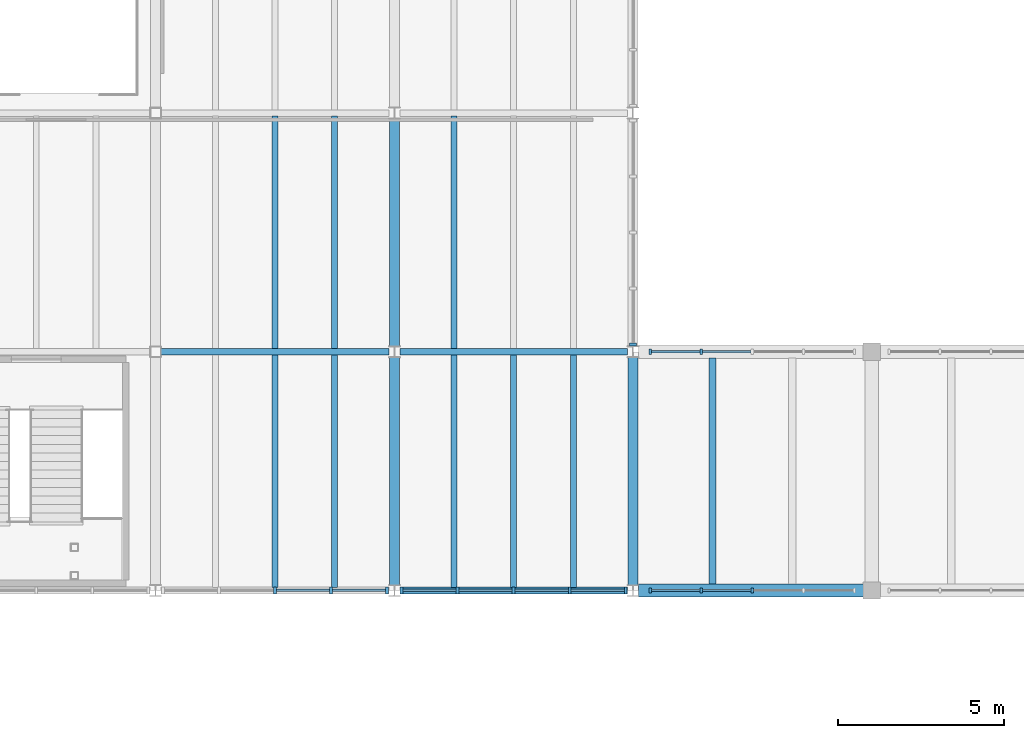
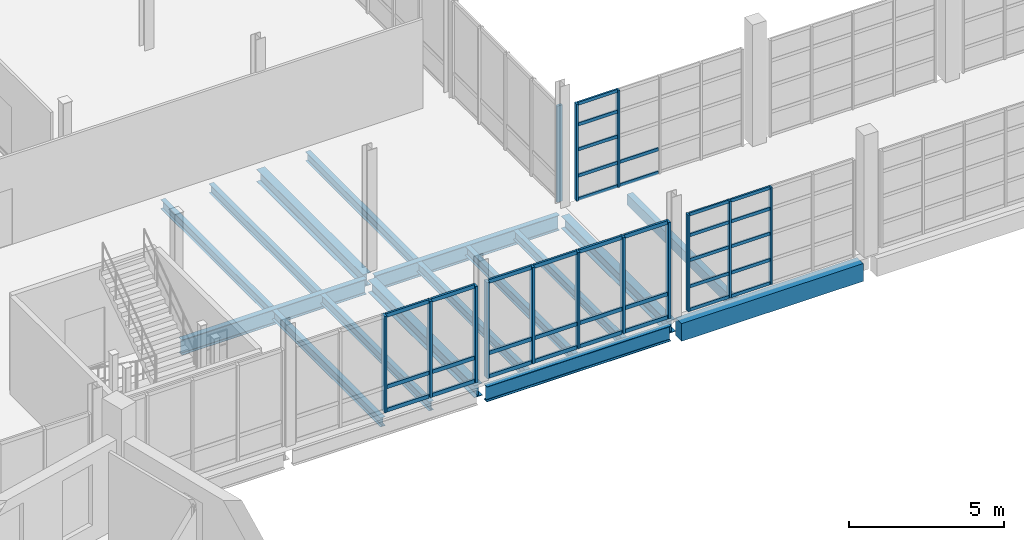
# One storey, part 28 of 77: 49 members, 16 beams, 5 elements without a shape of their own.
"""IFC4 building model written with IfcOpenShell, lengths in metres."""

from ifc_helpers import new_model, si_unit, direction, frame, origin, origin_2d, place, context, subcontext, project, spatial, rectangle, i_section, extrude, material, material_profile, profile_set, type_object, element, aggregate, save


model = new_model("IFC4")

# Units and contexts
model_context = context("Model", 3, precision=1e-05, world=origin(), true_north=direction((0.0, 1.0)))
body_context = subcontext(model_context, "Body", "Model", "MODEL_VIEW")
ifc_project = project(units=[si_unit("LENGTHUNIT", "METRE"), si_unit("AREAUNIT", "SQUARE_METRE"), si_unit("VOLUMEUNIT", "CUBIC_METRE"), si_unit("PLANEANGLEUNIT", "RADIAN"), si_unit("MASSUNIT", "GRAM", prefix="KILO")], contexts=[model_context])

# Site, building, storey
site_placement = place(None, origin())
site = spatial("IfcSite", under=ifc_project, at=site_placement, CompositionType="ELEMENT")
building_placement = place(site_placement, origin())
building = spatial("IfcBuilding", under=site, at=building_placement, Name="Qiaolan Assembly House", CompositionType="ELEMENT")
storey_placement = place(building_placement, frame((0.0, 0.0, 5.39990234375)))
storey = spatial("IfcBuildingStorey", under=building, at=storey_placement, Name="L01", CompositionType="ELEMENT", Elevation=5.39990234375)

# Beams
ifc_material_1 = material(Name="Concrete C40/50", Category="concrete")
ifc_material_profile_1 = material_profile(ifc_material_1, rectangle(XDim=0.39990234375, YDim=0.699951171875, at=origin_2d()), Name="RCB 400x700")
ifc_profile_set_1 = profile_set([ifc_material_profile_1], Name="Concrete C40/50")
beam_type_1 = type_object("IfcBeamType", Name="BM-RC-400x700", PredefinedType="BEAM", material=ifc_profile_set_1)
beam_1_placement = place(storey_placement, frame((108.1650390625, 36.0, -0.619873046875), z_axis=(1.0, 0.0, 0.0), x_axis=(0.0, 1.0, 0.0)))
element("IfcBeam", 1, at=beam_1_placement, inside=storey, type_object=beam_type_1, Name="GB-05 beam BMX-CLS-L01-00-00", PredefinedType="BEAM", context=body_context, shape_type="SweptSolid", body=[
    extrude(rectangle(XDim=0.39990234375, YDim=0.699951171875, at=origin_2d()), origin(), (0.0, 0.0, 1.0), 6.784912109375),
])
ifc_material_2 = material(Name="Steel Q355B", Category="steel")
ifc_material_profile_2 = material_profile(ifc_material_2, i_section(OverallWidth=0.300048828125, OverallDepth=0.488037109375, WebThickness=0.010986328125, FlangeThickness=0.01806640625, FilletRadius=0.02001953125, at=origin_2d()), Name="HM 488x300x11x18")
ifc_profile_set_2 = profile_set([ifc_material_profile_2], Name="Steel Q355B")
beam_type_2 = type_object("IfcBeamType", Name="BM-STL-HM488", PredefinedType="BEAM", material=ifc_profile_set_2)
beam_2_placement = place(storey_placement, frame((100.800048828125, 36.1650390625, -0.5439453125), z_axis=(0.0, 1.0, 0.0), x_axis=(-1.0, 0.0, 0.0)))
element("IfcBeam", 2, at=beam_2_placement, inside=storey, type_object=beam_type_2, Name="SB-04 beam BMY-HL-L01-11-00", PredefinedType="BEAM", context=body_context, shape_type="SweptSolid", body=[
    extrude(i_section(OverallWidth=0.300048828125, OverallDepth=0.488037109375, WebThickness=0.010986328125, FlangeThickness=0.01806640625, FilletRadius=0.02001953125, at=origin_2d()), origin(), (0.0, 0.0, 1.0), 6.869873046875),
])
beam_3_placement = place(storey_placement, frame((100.800048828125, 43.364990234375, -0.5439453125), z_axis=(0.0, 1.0, 0.0), x_axis=(-1.0, 0.0, 0.0)))
element("IfcBeam", 3, at=beam_3_placement, inside=storey, type_object=beam_type_2, Name="SB-04 beam BMY-HL-L01-11-01", PredefinedType="BEAM", context=body_context, shape_type="SweptSolid", body=[
    extrude(i_section(OverallWidth=0.300048828125, OverallDepth=0.488037109375, WebThickness=0.010986328125, FlangeThickness=0.01806640625, FilletRadius=0.02001953125, at=origin_2d()), origin(), (0.0, 0.0, 1.0), 6.8701171875),
])
beam_4_placement = place(storey_placement, frame((108.0, 36.1650390625, -0.5439453125), z_axis=(0.0, 1.0, 0.0), x_axis=(-1.0, 0.0, 0.0)))
element("IfcBeam", 4, at=beam_4_placement, inside=storey, type_object=beam_type_2, Name="SB-04 beam BMY-HL-L01-12-00", PredefinedType="BEAM", context=body_context, shape_type="SweptSolid", body=[
    extrude(i_section(OverallWidth=0.300048828125, OverallDepth=0.488037109375, WebThickness=0.010986328125, FlangeThickness=0.01806640625, FilletRadius=0.02001953125, at=origin_2d()), origin(), (0.0, 0.0, 1.0), 6.869873046875),
])
ifc_material_profile_3 = material_profile(ifc_material_2, i_section(OverallWidth=0.199951171875, OverallDepth=0.60009765625, WebThickness=0.010986328125, FlangeThickness=0.01708984375, FilletRadius=0.02001953125, at=origin_2d()), Name="HN 600x200x11x17")
ifc_profile_set_3 = profile_set([ifc_material_profile_3], Name="Steel Q355B")
beam_type_3 = type_object("IfcBeamType", Name="BM-STL-HN600", PredefinedType="BEAM", material=ifc_profile_set_3)
beam_5_placement = place(storey_placement, frame((100.965087890625, 36.0, -0.599853515625), z_axis=(1.0, 0.0, 0.0), x_axis=(0.0, 1.0, 0.0)))
element("IfcBeam", 5, at=beam_5_placement, inside=storey, type_object=beam_type_3, Name="SB-03 beam BMX-HL-L01-11-00", PredefinedType="BEAM", context=body_context, shape_type="SweptSolid", body=[
    extrude(i_section(OverallWidth=0.199951171875, OverallDepth=0.60009765625, WebThickness=0.010986328125, FlangeThickness=0.01708984375, FilletRadius=0.02001953125, at=origin_2d()), origin(), (0.0, 0.0, 1.0), 6.869873046875),
])
beam_6_placement = place(storey_placement, frame((93.75, 43.199951171875, -0.599853515625), z_axis=(1.0, 0.0, 0.0), x_axis=(0.0, 1.0, 0.0)))
element("IfcBeam", 6, at=beam_6_placement, inside=storey, type_object=beam_type_3, Name="SB-03 beam BMX-HL-L01-10-01", PredefinedType="BEAM", context=body_context, shape_type="SweptSolid", body=[
    extrude(i_section(OverallWidth=0.199951171875, OverallDepth=0.60009765625, WebThickness=0.010986328125, FlangeThickness=0.01708984375, FilletRadius=0.02001953125, at=origin_2d()), origin(), (0.0, 0.0, 1.0), 6.885009765625),
])
beam_7_placement = place(storey_placement, frame((100.965087890625, 43.199951171875, -0.599853515625), z_axis=(1.0, 0.0, 0.0), x_axis=(0.0, 1.0, 0.0)))
element("IfcBeam", 7, at=beam_7_placement, inside=storey, type_object=beam_type_3, Name="SB-03 beam BMX-HL-L01-11-01", PredefinedType="BEAM", context=body_context, shape_type="SweptSolid", body=[
    extrude(i_section(OverallWidth=0.199951171875, OverallDepth=0.60009765625, WebThickness=0.010986328125, FlangeThickness=0.01708984375, FilletRadius=0.02001953125, at=origin_2d()), origin(), (0.0, 0.0, 1.0), 6.869873046875),
])

# Curtain wall, members
ifc_material_3 = material(Name="Anodised bronze aluminium", Category="aluminium")
curtain_wall_type_1 = type_object("IfcCurtainWallType", Name="CW-CLOISTER-420", PredefinedType="NOTDEFINED", material=ifc_material_3)
curtain_wall_1_placement = place(storey_placement, origin())
curtain_wall_1 = element("IfcCurtainWall", 8, at=curtain_wall_1_placement, inside=storey, type_object=curtain_wall_type_1, Name="CW-05 South Cloister outer arcade L01-1", PredefinedType="NOTDEFINED")
ifc_material_profile_4 = material_profile(ifc_material_3, rectangle(XDim=0.070068359375, YDim=0.155029296875, at=origin_2d()), Name="MUL 70x155")
ifc_profile_set_4 = profile_set([ifc_material_profile_4], Name="Anodised bronze aluminium")
member_type_1 = type_object("IfcMemberType", Name="CW-CLOISTER-420-MUL", PredefinedType="MULLION", material=ifc_profile_set_4)
member_1_placement = place(storey_placement, frame((108.52001953125, 36.0, 0.0), z_axis=(0.0, 0.0, 1.0), x_axis=(1.0, 0.0, 0.0)))
member_1 = element("IfcMember", 9, at=member_1_placement, type_object=member_type_1, Name="ML-06 mullion CW-CLS-OUT-L01-0-1", PredefinedType="MULLION", context=body_context, shape_type="SweptSolid", body=[
    extrude(rectangle(XDim=0.070068359375, YDim=0.155029296875, at=origin_2d()), origin(), (0.0, 0.0, 1.0), 3.820068359375),
])
member_2_placement = place(storey_placement, frame((110.06005859375, 36.0, 0.0), z_axis=(0.0, 0.0, 1.0), x_axis=(1.0, 0.0, 0.0)))
member_2 = element("IfcMember", 10, at=member_2_placement, type_object=member_type_1, Name="ML-06 mullion CW-CLS-OUT-L01-0-2", PredefinedType="MULLION", context=body_context, shape_type="SweptSolid", body=[
    extrude(rectangle(XDim=0.070068359375, YDim=0.155029296875, at=origin_2d()), origin(), (0.0, 0.0, 1.0), 3.820068359375),
])
member_3_placement = place(storey_placement, frame((111.60009765625, 36.0, 0.0), z_axis=(0.0, 0.0, 1.0), x_axis=(1.0, 0.0, 0.0)))
member_3 = element("IfcMember", 11, at=member_3_placement, type_object=member_type_1, Name="ML-06 mullion CW-CLS-OUT-L01-0-3", PredefinedType="MULLION", context=body_context, shape_type="SweptSolid", body=[
    extrude(rectangle(XDim=0.070068359375, YDim=0.155029296875, at=origin_2d()), origin(), (0.0, 0.0, 1.0), 3.820068359375),
])

curtain_wall_2_placement = place(storey_placement, origin())
curtain_wall_2 = element("IfcCurtainWall", 12, at=curtain_wall_2_placement, inside=storey, type_object=curtain_wall_type_1, Name="CW-05 South Cloister court arcade L01-1", PredefinedType="NOTDEFINED")
member_4_placement = place(storey_placement, frame((110.06005859375, 43.199951171875, 0.0), z_axis=(0.0, 0.0, 1.0), x_axis=(-1.0, 0.0, 0.0)))
member_4 = element("IfcMember", 13, at=member_4_placement, type_object=member_type_1, Name="ML-06 mullion CW-CLS-CRT-L01-0-4", PredefinedType="MULLION", context=body_context, shape_type="SweptSolid", body=[
    extrude(rectangle(XDim=0.070068359375, YDim=0.155029296875, at=origin_2d()), origin(), (0.0, 0.0, 1.0), 3.820068359375),
])
member_5_placement = place(storey_placement, frame((108.52001953125, 43.199951171875, 0.0), z_axis=(0.0, 0.0, 1.0), x_axis=(-1.0, 0.0, 0.0)))
member_5 = element("IfcMember", 14, at=member_5_placement, type_object=member_type_1, Name="ML-06 mullion CW-CLS-CRT-L01-0-5", PredefinedType="MULLION", context=body_context, shape_type="SweptSolid", body=[
    extrude(rectangle(XDim=0.070068359375, YDim=0.155029296875, at=origin_2d()), origin(), (0.0, 0.0, 1.0), 3.820068359375),
])

# Member
ifc_material_profile_5 = material_profile(ifc_material_3, rectangle(XDim=0.06201171875, YDim=0.125, at=origin_2d()), Name="TRN 62x125")
ifc_profile_set_5 = profile_set([ifc_material_profile_5], Name="Anodised bronze aluminium")
member_type_2 = type_object("IfcMemberType", Name="CW-CLOISTER-420-TRN", PredefinedType="USERDEFINED", material=ifc_profile_set_5)
member_6_placement = place(storey_placement, frame((108.554931640625, 36.0, 0.030029296875), z_axis=(1.0, 0.0, 0.0), x_axis=(0.0, 1.0, 0.0)))
member_6 = element("IfcMember", 15, at=member_6_placement, type_object=member_type_2, Name="TR-06 transom CW-CLS-OUT-L01-0-1-1", ObjectType="TRANSOM", PredefinedType="USERDEFINED", context=body_context, shape_type="SweptSolid", body=[
    extrude(rectangle(XDim=0.06201171875, YDim=0.125, at=origin_2d()), origin(), (0.0, 0.0, 1.0), 1.469970703125),
])

member_7_placement = place(storey_placement, frame((108.554931640625, 36.0, 0.9501953125), z_axis=(1.0, 0.0, 0.0), x_axis=(0.0, 1.0, 0.0)))
member_7 = element("IfcMember", 16, at=member_7_placement, type_object=member_type_2, Name="TR-06 transom CW-CLS-OUT-L01-0-1-2", ObjectType="TRANSOM", PredefinedType="USERDEFINED", context=body_context, shape_type="SweptSolid", body=[
    extrude(rectangle(XDim=0.06201171875, YDim=0.125, at=origin_2d()), origin(), (0.0, 0.0, 1.0), 1.469970703125),
])

member_8_placement = place(storey_placement, frame((108.554931640625, 36.0, 1.986572265625), z_axis=(1.0, 0.0, 0.0), x_axis=(0.0, 1.0, 0.0)))
member_8 = element("IfcMember", 17, at=member_8_placement, type_object=member_type_2, Name="TR-06 transom CW-CLS-OUT-L01-0-1-3", ObjectType="TRANSOM", PredefinedType="USERDEFINED", context=body_context, shape_type="SweptSolid", body=[
    extrude(rectangle(XDim=0.06201171875, YDim=0.125, at=origin_2d()), origin(), (0.0, 0.0, 1.0), 1.469970703125),
])

member_9_placement = place(storey_placement, frame((108.554931640625, 36.0, 2.97021484375), z_axis=(1.0, 0.0, 0.0), x_axis=(0.0, 1.0, 0.0)))
member_9 = element("IfcMember", 18, at=member_9_placement, type_object=member_type_2, Name="TR-06 transom CW-CLS-OUT-L01-0-1-4", ObjectType="TRANSOM", PredefinedType="USERDEFINED", context=body_context, shape_type="SweptSolid", body=[
    extrude(rectangle(XDim=0.06201171875, YDim=0.125, at=origin_2d()), origin(), (0.0, 0.0, 1.0), 1.469970703125),
])

member_10_placement = place(storey_placement, frame((108.554931640625, 36.0, 3.7900390625), z_axis=(1.0, 0.0, 0.0), x_axis=(0.0, 1.0, 0.0)))
member_10 = element("IfcMember", 19, at=member_10_placement, type_object=member_type_2, Name="TR-06 transom CW-CLS-OUT-L01-0-1-5", ObjectType="TRANSOM", PredefinedType="USERDEFINED", context=body_context, shape_type="SweptSolid", body=[
    extrude(rectangle(XDim=0.06201171875, YDim=0.125, at=origin_2d()), origin(), (0.0, 0.0, 1.0), 1.469970703125),
])

member_11_placement = place(storey_placement, frame((110.094970703125, 36.0, 0.030029296875), z_axis=(1.0, 0.0, 0.0), x_axis=(0.0, 1.0, 0.0)))
member_11 = element("IfcMember", 20, at=member_11_placement, type_object=member_type_2, Name="TR-06 transom CW-CLS-OUT-L01-0-2-1", ObjectType="TRANSOM", PredefinedType="USERDEFINED", context=body_context, shape_type="SweptSolid", body=[
    extrude(rectangle(XDim=0.06201171875, YDim=0.125, at=origin_2d()), origin(), (0.0, 0.0, 1.0), 1.469970703125),
])

member_12_placement = place(storey_placement, frame((110.094970703125, 36.0, 0.9501953125), z_axis=(1.0, 0.0, 0.0), x_axis=(0.0, 1.0, 0.0)))
member_12 = element("IfcMember", 21, at=member_12_placement, type_object=member_type_2, Name="TR-06 transom CW-CLS-OUT-L01-0-2-2", ObjectType="TRANSOM", PredefinedType="USERDEFINED", context=body_context, shape_type="SweptSolid", body=[
    extrude(rectangle(XDim=0.06201171875, YDim=0.125, at=origin_2d()), origin(), (0.0, 0.0, 1.0), 1.469970703125),
])

member_13_placement = place(storey_placement, frame((110.094970703125, 36.0, 1.986572265625), z_axis=(1.0, 0.0, 0.0), x_axis=(0.0, 1.0, 0.0)))
member_13 = element("IfcMember", 22, at=member_13_placement, type_object=member_type_2, Name="TR-06 transom CW-CLS-OUT-L01-0-2-3", ObjectType="TRANSOM", PredefinedType="USERDEFINED", context=body_context, shape_type="SweptSolid", body=[
    extrude(rectangle(XDim=0.06201171875, YDim=0.125, at=origin_2d()), origin(), (0.0, 0.0, 1.0), 1.469970703125),
])

member_14_placement = place(storey_placement, frame((110.094970703125, 36.0, 2.97021484375), z_axis=(1.0, 0.0, 0.0), x_axis=(0.0, 1.0, 0.0)))
member_14 = element("IfcMember", 23, at=member_14_placement, type_object=member_type_2, Name="TR-06 transom CW-CLS-OUT-L01-0-2-4", ObjectType="TRANSOM", PredefinedType="USERDEFINED", context=body_context, shape_type="SweptSolid", body=[
    extrude(rectangle(XDim=0.06201171875, YDim=0.125, at=origin_2d()), origin(), (0.0, 0.0, 1.0), 1.469970703125),
])

member_15_placement = place(storey_placement, frame((110.094970703125, 36.0, 3.7900390625), z_axis=(1.0, 0.0, 0.0), x_axis=(0.0, 1.0, 0.0)))
member_15 = element("IfcMember", 24, at=member_15_placement, type_object=member_type_2, Name="TR-06 transom CW-CLS-OUT-L01-0-2-5", ObjectType="TRANSOM", PredefinedType="USERDEFINED", context=body_context, shape_type="SweptSolid", body=[
    extrude(rectangle(XDim=0.06201171875, YDim=0.125, at=origin_2d()), origin(), (0.0, 0.0, 1.0), 1.469970703125),
])

aggregate(curtain_wall_1, [member_1, member_2, member_3, member_6, member_7, member_8, member_9, member_10, member_11, member_12, member_13, member_14, member_15])

member_16_placement = place(storey_placement, frame((111.56494140625, 43.199951171875, 0.030029296875), z_axis=(-1.0, 0.0, 0.0), x_axis=(0.0, -1.0, 0.0)))
member_16 = element("IfcMember", 25, at=member_16_placement, type_object=member_type_2, Name="TR-06 transom CW-CLS-CRT-L01-0-3-1", ObjectType="TRANSOM", PredefinedType="USERDEFINED", context=body_context, shape_type="SweptSolid", body=[
    extrude(rectangle(XDim=0.06201171875, YDim=0.125, at=origin_2d()), origin(), (0.0, 0.0, 1.0), 1.469970703125),
])

member_17_placement = place(storey_placement, frame((111.56494140625, 43.199951171875, 0.9501953125), z_axis=(-1.0, 0.0, 0.0), x_axis=(0.0, -1.0, 0.0)))
member_17 = element("IfcMember", 26, at=member_17_placement, type_object=member_type_2, Name="TR-06 transom CW-CLS-CRT-L01-0-3-2", ObjectType="TRANSOM", PredefinedType="USERDEFINED", context=body_context, shape_type="SweptSolid", body=[
    extrude(rectangle(XDim=0.06201171875, YDim=0.125, at=origin_2d()), origin(), (0.0, 0.0, 1.0), 1.469970703125),
])

member_18_placement = place(storey_placement, frame((110.02490234375, 43.199951171875, 0.030029296875), z_axis=(-1.0, 0.0, 0.0), x_axis=(0.0, -1.0, 0.0)))
member_18 = element("IfcMember", 27, at=member_18_placement, type_object=member_type_2, Name="TR-06 transom CW-CLS-CRT-L01-0-4-1", ObjectType="TRANSOM", PredefinedType="USERDEFINED", context=body_context, shape_type="SweptSolid", body=[
    extrude(rectangle(XDim=0.06201171875, YDim=0.125, at=origin_2d()), origin(), (0.0, 0.0, 1.0), 1.469970703125),
])

member_19_placement = place(storey_placement, frame((110.02490234375, 43.199951171875, 0.9501953125), z_axis=(-1.0, 0.0, 0.0), x_axis=(0.0, -1.0, 0.0)))
member_19 = element("IfcMember", 28, at=member_19_placement, type_object=member_type_2, Name="TR-06 transom CW-CLS-CRT-L01-0-4-2", ObjectType="TRANSOM", PredefinedType="USERDEFINED", context=body_context, shape_type="SweptSolid", body=[
    extrude(rectangle(XDim=0.06201171875, YDim=0.125, at=origin_2d()), origin(), (0.0, 0.0, 1.0), 1.469970703125),
])

member_20_placement = place(storey_placement, frame((110.02490234375, 43.199951171875, 1.986572265625), z_axis=(-1.0, 0.0, 0.0), x_axis=(0.0, -1.0, 0.0)))
member_20 = element("IfcMember", 29, at=member_20_placement, type_object=member_type_2, Name="TR-06 transom CW-CLS-CRT-L01-0-4-3", ObjectType="TRANSOM", PredefinedType="USERDEFINED", context=body_context, shape_type="SweptSolid", body=[
    extrude(rectangle(XDim=0.06201171875, YDim=0.125, at=origin_2d()), origin(), (0.0, 0.0, 1.0), 1.469970703125),
])

member_21_placement = place(storey_placement, frame((110.02490234375, 43.199951171875, 2.97021484375), z_axis=(-1.0, 0.0, 0.0), x_axis=(0.0, -1.0, 0.0)))
member_21 = element("IfcMember", 30, at=member_21_placement, type_object=member_type_2, Name="TR-06 transom CW-CLS-CRT-L01-0-4-4", ObjectType="TRANSOM", PredefinedType="USERDEFINED", context=body_context, shape_type="SweptSolid", body=[
    extrude(rectangle(XDim=0.06201171875, YDim=0.125, at=origin_2d()), origin(), (0.0, 0.0, 1.0), 1.469970703125),
])

member_22_placement = place(storey_placement, frame((110.02490234375, 43.199951171875, 3.7900390625), z_axis=(-1.0, 0.0, 0.0), x_axis=(0.0, -1.0, 0.0)))
member_22 = element("IfcMember", 31, at=member_22_placement, type_object=member_type_2, Name="TR-06 transom CW-CLS-CRT-L01-0-4-5", ObjectType="TRANSOM", PredefinedType="USERDEFINED", context=body_context, shape_type="SweptSolid", body=[
    extrude(rectangle(XDim=0.06201171875, YDim=0.125, at=origin_2d()), origin(), (0.0, 0.0, 1.0), 1.469970703125),
])

aggregate(curtain_wall_2, [member_4, member_5, member_16, member_17, member_18, member_19, member_20, member_21, member_22])

# Curtain wall, members
curtain_wall_type_2 = type_object("IfcCurtainWallType", Name="CW-HALL-UPPER-480", PredefinedType="NOTDEFINED", material=ifc_material_3)
curtain_wall_3_placement = place(storey_placement, origin())
curtain_wall_3 = element("IfcCurtainWall", 32, at=curtain_wall_3_placement, inside=storey, type_object=curtain_wall_type_2, Name="CW-01 Hall South plaza curtain wall L01-10", PredefinedType="NOTDEFINED")
ifc_material_profile_6 = material_profile(ifc_material_3, rectangle(XDim=0.0859375, YDim=0.199951171875, at=origin_2d()), Name="MUL 86x200")
ifc_profile_set_6 = profile_set([ifc_material_profile_6], Name="Anodised bronze aluminium")
member_type_3 = type_object("IfcMemberType", Name="CW-HALL-UPPER-480-MUL", PredefinedType="MULLION", material=ifc_profile_set_6)
member_23_placement = place(storey_placement, frame((97.199951171875, 36.0, 0.0), z_axis=(0.0, 0.0, 1.0), x_axis=(1.0, 0.0, 0.0)))
member_23 = element("IfcMember", 33, at=member_23_placement, type_object=member_type_3, Name="ML-02 mullion CW-HALL-S-L01-09-3", PredefinedType="MULLION", context=body_context, shape_type="SweptSolid", body=[
    extrude(rectangle(XDim=0.0859375, YDim=0.199951171875, at=origin_2d()), origin(), (0.0, 0.0, 1.0), 3.800048828125),
])
member_24_placement = place(storey_placement, frame((98.889892578125, 36.0, 0.0), z_axis=(0.0, 0.0, 1.0), x_axis=(1.0, 0.0, 0.0)))
member_24 = element("IfcMember", 34, at=member_24_placement, type_object=member_type_3, Name="ML-02 mullion CW-HALL-S-L01-09-4", PredefinedType="MULLION", context=body_context, shape_type="SweptSolid", body=[
    extrude(rectangle(XDim=0.0859375, YDim=0.199951171875, at=origin_2d()), origin(), (0.0, 0.0, 1.0), 3.800048828125),
])
member_25_placement = place(storey_placement, frame((100.580078125, 36.0, 0.0), z_axis=(0.0, 0.0, 1.0), x_axis=(1.0, 0.0, 0.0)))
member_25 = element("IfcMember", 35, at=member_25_placement, type_object=member_type_3, Name="ML-02 mullion CW-HALL-S-L01-09-5", PredefinedType="MULLION", context=body_context, shape_type="SweptSolid", body=[
    extrude(rectangle(XDim=0.0859375, YDim=0.199951171875, at=origin_2d()), origin(), (0.0, 0.0, 1.0), 3.800048828125),
])

curtain_wall_4_placement = place(storey_placement, origin())
curtain_wall_4 = element("IfcCurtainWall", 36, at=curtain_wall_4_placement, inside=storey, type_object=curtain_wall_type_2, Name="CW-01 Hall South plaza curtain wall L01-11", PredefinedType="NOTDEFINED")
member_26_placement = place(storey_placement, frame((101.02001953125, 36.0, 0.0), z_axis=(0.0, 0.0, 1.0), x_axis=(1.0, 0.0, 0.0)))
member_26 = element("IfcMember", 37, at=member_26_placement, type_object=member_type_3, Name="ML-02 mullion CW-HALL-S-L01-10-1", PredefinedType="MULLION", context=body_context, shape_type="SweptSolid", body=[
    extrude(rectangle(XDim=0.0859375, YDim=0.199951171875, at=origin_2d()), origin(), (0.0, 0.0, 1.0), 3.800048828125),
])
member_27_placement = place(storey_placement, frame((102.7099609375, 36.0, 0.0), z_axis=(0.0, 0.0, 1.0), x_axis=(1.0, 0.0, 0.0)))
member_27 = element("IfcMember", 38, at=member_27_placement, type_object=member_type_3, Name="ML-02 mullion CW-HALL-S-L01-10-2", PredefinedType="MULLION", context=body_context, shape_type="SweptSolid", body=[
    extrude(rectangle(XDim=0.0859375, YDim=0.199951171875, at=origin_2d()), origin(), (0.0, 0.0, 1.0), 3.800048828125),
])
member_28_placement = place(storey_placement, frame((104.39990234375, 36.0, 0.0), z_axis=(0.0, 0.0, 1.0), x_axis=(1.0, 0.0, 0.0)))
member_28 = element("IfcMember", 39, at=member_28_placement, type_object=member_type_3, Name="ML-02 mullion CW-HALL-S-L01-10-3", PredefinedType="MULLION", context=body_context, shape_type="SweptSolid", body=[
    extrude(rectangle(XDim=0.0859375, YDim=0.199951171875, at=origin_2d()), origin(), (0.0, 0.0, 1.0), 3.800048828125),
])
member_29_placement = place(storey_placement, frame((106.090087890625, 36.0, 0.0), z_axis=(0.0, 0.0, 1.0), x_axis=(1.0, 0.0, 0.0)))
member_29 = element("IfcMember", 40, at=member_29_placement, type_object=member_type_3, Name="ML-02 mullion CW-HALL-S-L01-10-4", PredefinedType="MULLION", context=body_context, shape_type="SweptSolid", body=[
    extrude(rectangle(XDim=0.0859375, YDim=0.199951171875, at=origin_2d()), origin(), (0.0, 0.0, 1.0), 3.800048828125),
])
member_30_placement = place(storey_placement, frame((107.780029296875, 36.0, 0.0), z_axis=(0.0, 0.0, 1.0), x_axis=(1.0, 0.0, 0.0)))
member_30 = element("IfcMember", 41, at=member_30_placement, type_object=member_type_3, Name="ML-02 mullion CW-HALL-S-L01-10-5", PredefinedType="MULLION", context=body_context, shape_type="SweptSolid", body=[
    extrude(rectangle(XDim=0.0859375, YDim=0.199951171875, at=origin_2d()), origin(), (0.0, 0.0, 1.0), 3.800048828125),
])

# Curtain wall, member
curtain_wall_5_placement = place(storey_placement, origin())
curtain_wall_5 = element("IfcCurtainWall", 42, at=curtain_wall_5_placement, inside=storey, type_object=curtain_wall_type_2, Name="CW-01 Hall East court curtain wall L01-1", PredefinedType="NOTDEFINED")
member_31_placement = place(storey_placement, frame((108.0, 43.419921875, 0.0), z_axis=(0.0, 0.0, 1.0), x_axis=(0.0, -1.0, 0.0)))
member_31 = element("IfcMember", 43, at=member_31_placement, type_object=member_type_3, Name="ML-02 mullion CW-HALL-E-L01-00-5", PredefinedType="MULLION", context=body_context, shape_type="SweptSolid", body=[
    extrude(rectangle(XDim=0.0859375, YDim=0.199951171875, at=origin_2d()), origin(), (0.0, 0.0, 1.0), 3.800048828125),
])
aggregate(curtain_wall_5, [member_31])

# Member
ifc_material_profile_7 = material_profile(ifc_material_3, rectangle(XDim=0.075927734375, YDim=0.14990234375, at=origin_2d()), Name="TRN 76x150")
ifc_profile_set_7 = profile_set([ifc_material_profile_7], Name="Anodised bronze aluminium")
member_type_4 = type_object("IfcMemberType", Name="CW-HALL-UPPER-480-TRN", PredefinedType="USERDEFINED", material=ifc_profile_set_7)
member_32_placement = place(storey_placement, frame((97.242919921875, 36.0, 0.030029296875), z_axis=(1.0, 0.0, 0.0), x_axis=(0.0, 1.0, 0.0)))
member_32 = element("IfcMember", 44, at=member_32_placement, type_object=member_type_4, Name="TR-02 transom CW-HALL-S-L01-09-3-1", ObjectType="TRANSOM", PredefinedType="USERDEFINED", context=body_context, shape_type="SweptSolid", body=[
    extrude(rectangle(XDim=0.075927734375, YDim=0.14990234375, at=origin_2d()), origin(), (0.0, 0.0, 1.0), 1.60400390625),
])

member_33_placement = place(storey_placement, frame((97.242919921875, 36.0, 0.9501953125), z_axis=(1.0, 0.0, 0.0), x_axis=(0.0, 1.0, 0.0)))
member_33 = element("IfcMember", 45, at=member_33_placement, type_object=member_type_4, Name="TR-02 transom CW-HALL-S-L01-09-3-2", ObjectType="TRANSOM", PredefinedType="USERDEFINED", context=body_context, shape_type="SweptSolid", body=[
    extrude(rectangle(XDim=0.075927734375, YDim=0.14990234375, at=origin_2d()), origin(), (0.0, 0.0, 1.0), 1.60400390625),
])

member_34_placement = place(storey_placement, frame((97.242919921875, 36.0, 3.77001953125), z_axis=(1.0, 0.0, 0.0), x_axis=(0.0, 1.0, 0.0)))
member_34 = element("IfcMember", 46, at=member_34_placement, type_object=member_type_4, Name="TR-02 transom CW-HALL-S-L01-09-3-3", ObjectType="TRANSOM", PredefinedType="USERDEFINED", context=body_context, shape_type="SweptSolid", body=[
    extrude(rectangle(XDim=0.075927734375, YDim=0.14990234375, at=origin_2d()), origin(), (0.0, 0.0, 1.0), 1.60400390625),
])

member_35_placement = place(storey_placement, frame((98.93310546875, 36.0, 0.030029296875), z_axis=(1.0, 0.0, 0.0), x_axis=(0.0, 1.0, 0.0)))
member_35 = element("IfcMember", 47, at=member_35_placement, type_object=member_type_4, Name="TR-02 transom CW-HALL-S-L01-09-4-1", ObjectType="TRANSOM", PredefinedType="USERDEFINED", context=body_context, shape_type="SweptSolid", body=[
    extrude(rectangle(XDim=0.075927734375, YDim=0.14990234375, at=origin_2d()), origin(), (0.0, 0.0, 1.0), 1.60400390625),
])

member_36_placement = place(storey_placement, frame((98.93310546875, 36.0, 0.9501953125), z_axis=(1.0, 0.0, 0.0), x_axis=(0.0, 1.0, 0.0)))
member_36 = element("IfcMember", 48, at=member_36_placement, type_object=member_type_4, Name="TR-02 transom CW-HALL-S-L01-09-4-2", ObjectType="TRANSOM", PredefinedType="USERDEFINED", context=body_context, shape_type="SweptSolid", body=[
    extrude(rectangle(XDim=0.075927734375, YDim=0.14990234375, at=origin_2d()), origin(), (0.0, 0.0, 1.0), 1.60400390625),
])

member_37_placement = place(storey_placement, frame((98.93310546875, 36.0, 3.77001953125), z_axis=(1.0, 0.0, 0.0), x_axis=(0.0, 1.0, 0.0)))
member_37 = element("IfcMember", 49, at=member_37_placement, type_object=member_type_4, Name="TR-02 transom CW-HALL-S-L01-09-4-3", ObjectType="TRANSOM", PredefinedType="USERDEFINED", context=body_context, shape_type="SweptSolid", body=[
    extrude(rectangle(XDim=0.075927734375, YDim=0.14990234375, at=origin_2d()), origin(), (0.0, 0.0, 1.0), 1.60400390625),
])

aggregate(curtain_wall_3, [member_23, member_24, member_25, member_32, member_33, member_34, member_35, member_36, member_37])

member_38_placement = place(storey_placement, frame((101.06298828125, 36.0, 0.030029296875), z_axis=(1.0, 0.0, 0.0), x_axis=(0.0, 1.0, 0.0)))
member_38 = element("IfcMember", 50, at=member_38_placement, type_object=member_type_4, Name="TR-02 transom CW-HALL-S-L01-10-1-1", ObjectType="TRANSOM", PredefinedType="USERDEFINED", context=body_context, shape_type="SweptSolid", body=[
    extrude(rectangle(XDim=0.075927734375, YDim=0.14990234375, at=origin_2d()), origin(), (0.0, 0.0, 1.0), 1.60400390625),
])

member_39_placement = place(storey_placement, frame((101.06298828125, 36.0, 0.9501953125), z_axis=(1.0, 0.0, 0.0), x_axis=(0.0, 1.0, 0.0)))
member_39 = element("IfcMember", 51, at=member_39_placement, type_object=member_type_4, Name="TR-02 transom CW-HALL-S-L01-10-1-2", ObjectType="TRANSOM", PredefinedType="USERDEFINED", context=body_context, shape_type="SweptSolid", body=[
    extrude(rectangle(XDim=0.075927734375, YDim=0.14990234375, at=origin_2d()), origin(), (0.0, 0.0, 1.0), 1.60400390625),
])

member_40_placement = place(storey_placement, frame((101.06298828125, 36.0, 3.77001953125), z_axis=(1.0, 0.0, 0.0), x_axis=(0.0, 1.0, 0.0)))
member_40 = element("IfcMember", 52, at=member_40_placement, type_object=member_type_4, Name="TR-02 transom CW-HALL-S-L01-10-1-3", ObjectType="TRANSOM", PredefinedType="USERDEFINED", context=body_context, shape_type="SweptSolid", body=[
    extrude(rectangle(XDim=0.075927734375, YDim=0.14990234375, at=origin_2d()), origin(), (0.0, 0.0, 1.0), 1.60400390625),
])

member_41_placement = place(storey_placement, frame((102.7529296875, 36.0, 0.030029296875), z_axis=(1.0, 0.0, 0.0), x_axis=(0.0, 1.0, 0.0)))
member_41 = element("IfcMember", 53, at=member_41_placement, type_object=member_type_4, Name="TR-02 transom CW-HALL-S-L01-10-2-1", ObjectType="TRANSOM", PredefinedType="USERDEFINED", context=body_context, shape_type="SweptSolid", body=[
    extrude(rectangle(XDim=0.075927734375, YDim=0.14990234375, at=origin_2d()), origin(), (0.0, 0.0, 1.0), 1.60400390625),
])

member_42_placement = place(storey_placement, frame((102.7529296875, 36.0, 0.9501953125), z_axis=(1.0, 0.0, 0.0), x_axis=(0.0, 1.0, 0.0)))
member_42 = element("IfcMember", 54, at=member_42_placement, type_object=member_type_4, Name="TR-02 transom CW-HALL-S-L01-10-2-2", ObjectType="TRANSOM", PredefinedType="USERDEFINED", context=body_context, shape_type="SweptSolid", body=[
    extrude(rectangle(XDim=0.075927734375, YDim=0.14990234375, at=origin_2d()), origin(), (0.0, 0.0, 1.0), 1.60400390625),
])

member_43_placement = place(storey_placement, frame((102.7529296875, 36.0, 3.77001953125), z_axis=(1.0, 0.0, 0.0), x_axis=(0.0, 1.0, 0.0)))
member_43 = element("IfcMember", 55, at=member_43_placement, type_object=member_type_4, Name="TR-02 transom CW-HALL-S-L01-10-2-3", ObjectType="TRANSOM", PredefinedType="USERDEFINED", context=body_context, shape_type="SweptSolid", body=[
    extrude(rectangle(XDim=0.075927734375, YDim=0.14990234375, at=origin_2d()), origin(), (0.0, 0.0, 1.0), 1.60400390625),
])

member_44_placement = place(storey_placement, frame((104.443115234375, 36.0, 0.030029296875), z_axis=(1.0, 0.0, 0.0), x_axis=(0.0, 1.0, 0.0)))
member_44 = element("IfcMember", 56, at=member_44_placement, type_object=member_type_4, Name="TR-02 transom CW-HALL-S-L01-10-3-1", ObjectType="TRANSOM", PredefinedType="USERDEFINED", context=body_context, shape_type="SweptSolid", body=[
    extrude(rectangle(XDim=0.075927734375, YDim=0.14990234375, at=origin_2d()), origin(), (0.0, 0.0, 1.0), 1.60400390625),
])

member_45_placement = place(storey_placement, frame((104.443115234375, 36.0, 0.9501953125), z_axis=(1.0, 0.0, 0.0), x_axis=(0.0, 1.0, 0.0)))
member_45 = element("IfcMember", 57, at=member_45_placement, type_object=member_type_4, Name="TR-02 transom CW-HALL-S-L01-10-3-2", ObjectType="TRANSOM", PredefinedType="USERDEFINED", context=body_context, shape_type="SweptSolid", body=[
    extrude(rectangle(XDim=0.075927734375, YDim=0.14990234375, at=origin_2d()), origin(), (0.0, 0.0, 1.0), 1.60400390625),
])

member_46_placement = place(storey_placement, frame((104.443115234375, 36.0, 3.77001953125), z_axis=(1.0, 0.0, 0.0), x_axis=(0.0, 1.0, 0.0)))
member_46 = element("IfcMember", 58, at=member_46_placement, type_object=member_type_4, Name="TR-02 transom CW-HALL-S-L01-10-3-3", ObjectType="TRANSOM", PredefinedType="USERDEFINED", context=body_context, shape_type="SweptSolid", body=[
    extrude(rectangle(XDim=0.075927734375, YDim=0.14990234375, at=origin_2d()), origin(), (0.0, 0.0, 1.0), 1.60400390625),
])

member_47_placement = place(storey_placement, frame((106.133056640625, 36.0, 0.030029296875), z_axis=(1.0, 0.0, 0.0), x_axis=(0.0, 1.0, 0.0)))
member_47 = element("IfcMember", 59, at=member_47_placement, type_object=member_type_4, Name="TR-02 transom CW-HALL-S-L01-10-4-1", ObjectType="TRANSOM", PredefinedType="USERDEFINED", context=body_context, shape_type="SweptSolid", body=[
    extrude(rectangle(XDim=0.075927734375, YDim=0.14990234375, at=origin_2d()), origin(), (0.0, 0.0, 1.0), 1.60400390625),
])

member_48_placement = place(storey_placement, frame((106.133056640625, 36.0, 0.9501953125), z_axis=(1.0, 0.0, 0.0), x_axis=(0.0, 1.0, 0.0)))
member_48 = element("IfcMember", 60, at=member_48_placement, type_object=member_type_4, Name="TR-02 transom CW-HALL-S-L01-10-4-2", ObjectType="TRANSOM", PredefinedType="USERDEFINED", context=body_context, shape_type="SweptSolid", body=[
    extrude(rectangle(XDim=0.075927734375, YDim=0.14990234375, at=origin_2d()), origin(), (0.0, 0.0, 1.0), 1.60400390625),
])

member_49_placement = place(storey_placement, frame((106.133056640625, 36.0, 3.77001953125), z_axis=(1.0, 0.0, 0.0), x_axis=(0.0, 1.0, 0.0)))
member_49 = element("IfcMember", 61, at=member_49_placement, type_object=member_type_4, Name="TR-02 transom CW-HALL-S-L01-10-4-3", ObjectType="TRANSOM", PredefinedType="USERDEFINED", context=body_context, shape_type="SweptSolid", body=[
    extrude(rectangle(XDim=0.075927734375, YDim=0.14990234375, at=origin_2d()), origin(), (0.0, 0.0, 1.0), 1.60400390625),
])

aggregate(curtain_wall_4, [member_26, member_27, member_28, member_29, member_30, member_38, member_39, member_40, member_41, member_42, member_43, member_44, member_45, member_46, member_47, member_48, member_49])

# Beams
ifc_material_profile_8 = material_profile(ifc_material_1, rectangle(XDim=0.219970703125, YDim=0.419921875, at=origin_2d()), Name="RCB 220x420")
ifc_profile_set_8 = profile_set([ifc_material_profile_8], Name="Concrete C40/50")
beam_type_4 = type_object("IfcBeamType", Name="JST-RC-220x420", PredefinedType="JOIST", material=ifc_profile_set_8)
beam_8_placement = place(storey_placement, frame((110.39990234375, 36.194091796875, -0.47998046875), z_axis=(0.0, 1.0, 0.0), x_axis=(-1.0, 0.0, 0.0)))
element("IfcBeam", 62, at=beam_8_placement, inside=storey, type_object=beam_type_4, Name="RJ-03 beam JST-CLS-L01-00-00-1", PredefinedType="JOIST", context=body_context, shape_type="SweptSolid", body=[
    extrude(rectangle(XDim=0.219970703125, YDim=0.419921875, at=origin_2d()), origin(), (0.0, 0.0, 1.0), 6.81201171875),
])
ifc_material_profile_9 = material_profile(ifc_material_2, i_section(OverallWidth=0.179931640625, OverallDepth=0.360107421875, WebThickness=0.008056640625, FlangeThickness=0.011962890625, FilletRadius=0.013916015625, at=origin_2d()), Name="HN 360x180x8x12")
ifc_profile_set_9 = profile_set([ifc_material_profile_9], Name="Steel Q355B")
beam_type_5 = type_object("IfcBeamType", Name="JST-STL-HN360", PredefinedType="JOIST", material=ifc_profile_set_9)
for number, where, z_axis, x_axis, name in (
    (63, (97.199951171875, 36.093994140625, -0.47998046875), (0.0, 1.0, 0.0), (-1.0, 0.0, 0.0), "SJ-06 beam JST-HL-L01-10-00-2"),
    (64, (99.0, 36.093994140625, -0.47998046875), (0.0, 1.0, 0.0), (-1.0, 0.0, 0.0), "SJ-06 beam JST-HL-L01-10-00-3"),
    (65, (97.199951171875, 43.2939453125, -0.47998046875), (0.0, 1.0, 0.0), (-1.0, 0.0, 0.0), "SJ-06 beam JST-HL-L01-10-01-2"),
    (66, (99.0, 43.2939453125, -0.47998046875), (0.0, 1.0, 0.0), (-1.0, 0.0, 0.0), "SJ-06 beam JST-HL-L01-10-01-3"),
    (67, (102.60009765625, 36.093994140625, -0.47998046875), (0.0, 1.0, 0.0), (-1.0, 0.0, 0.0), "SJ-06 beam JST-HL-L01-11-00-1"),
    (68, (104.39990234375, 36.093994140625, -0.47998046875), (0.0, 1.0, 0.0), (-1.0, 0.0, 0.0), "SJ-06 beam JST-HL-L01-11-00-2"),
    (69, (106.199951171875, 36.093994140625, -0.47998046875), (0.0, 1.0, 0.0), (-1.0, 0.0, 0.0), "SJ-06 beam JST-HL-L01-11-00-3"),
    (70, (102.60009765625, 43.2939453125, -0.47998046875), (0.0, 1.0, 0.0), (-1.0, 0.0, 0.0), "SJ-06 beam JST-HL-L01-11-01-1"),
):
    element("IfcBeam", number, at=place(storey_placement, frame(where, z_axis=z_axis, x_axis=x_axis)), inside=storey, type_object=beam_type_5, Name=name, PredefinedType="JOIST", context=body_context, shape_type="SweptSolid", body=[
        extrude(i_section(OverallWidth=0.179931640625, OverallDepth=0.360107421875, WebThickness=0.008056640625, FlangeThickness=0.011962890625, FilletRadius=0.013916015625, at=origin_2d()), origin(), (0.0, 0.0, 1.0), 7.011962890625),
    ])

save(model, "model.ifc")
